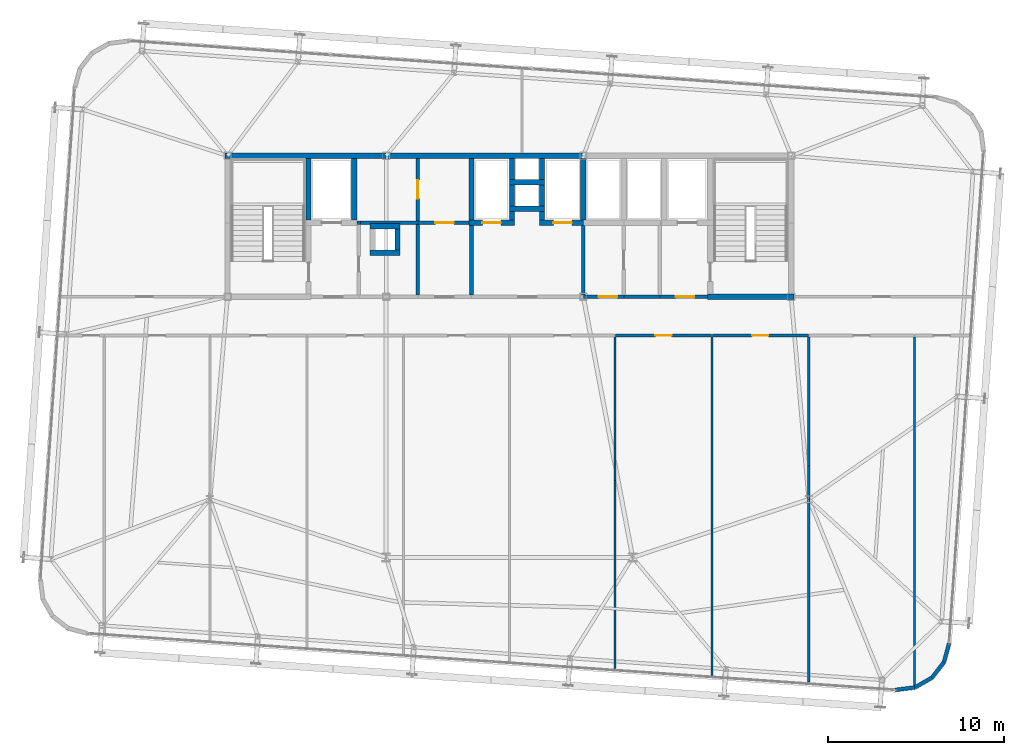
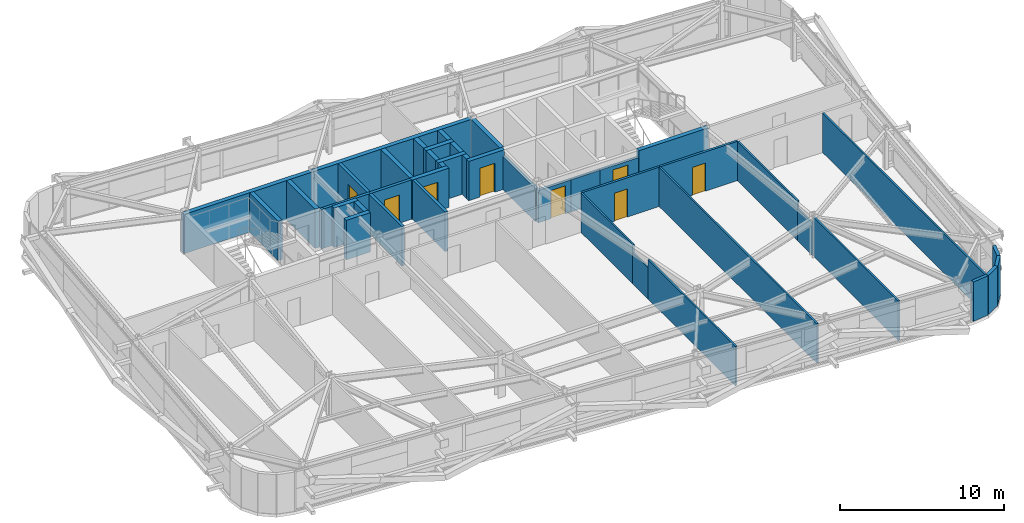
# One storey, part 36 of 39: 44 walls, 8 doors, 8 openings.
"""IFC4 building model written with IfcOpenShell, lengths in metres."""

import ifcopenshell
import ifcopenshell.guid

model = None  # the IFC model being written
_history = None  # IfcOwnerHistory: only IFC2X3 demands one
_inside = {}  # id of a spatial element -> (the spatial element, [elements in it])
_under = {}  # id of a project, library or spatial element -> (it, [spatial elements below it])
_declared = {}  # id of a project -> (the project, [libraries it declares])
_typed = {}  # id of a type object -> (the type object, [elements of that type])
_made_of = {}  # id of a material, layer set ... -> (it, [elements and type objects made of it])


def new_model(schema):
    """Start an empty IFC model of exactly this schema.

    Asked for "IFC4X3", IfcOpenShell would pick the latest addendum, in which some entities
    have other attributes; the version numbers below select the first issue.
    IFC2X3 requires an IfcOwnerHistory on every rooted entity: one is made here for all.
    """
    global model, _history
    if schema == "IFC4X3":
        model = ifcopenshell.file(schema_version=(4, 3, 0, 0))
    else:
        model = ifcopenshell.file(schema=schema)
    _inside.clear()
    _under.clear()
    _declared.clear()
    _typed.clear()
    _made_of.clear()
    _history = None
    if model.schema == "IFC2X3":
        org = make("IfcOrganization", Name="unknown")
        user = make(
            "IfcPersonAndOrganization",
            ThePerson=make("IfcPerson", FamilyName="unknown"),
            TheOrganization=org,
        )
        app = make(
            "IfcApplication",
            ApplicationDeveloper=org,
            Version="unknown",
            ApplicationFullName="unknown",
            ApplicationIdentifier="unknown",
        )
        _history = make(
            "IfcOwnerHistory",
            OwningUser=user,
            OwningApplication=app,
            ChangeAction="ADDED",
            CreationDate=0,
        )
    return model


def make(cls, **values):
    """One entity of the class cls with the attributes given. An attribute that is None is left unset."""
    return model.create_entity(
        cls, **{name: value for name, value in values.items() if value is not None}
    )


def rooted(cls, **values):
    """An entity with a GlobalId (a new one), such as an element, a storey or a relation."""
    return make(cls, GlobalId=ifcopenshell.guid.new(), OwnerHistory=_history, **values)


def si_unit(unit_type, name, prefix=None):
    """IfcSIUnit, for example si_unit("LENGTHUNIT", "METRE", prefix="MILLI")."""
    return make("IfcSIUnit", UnitType=unit_type, Prefix=prefix, Name=name)


def assignment(units):
    """IfcUnitAssignment: the units of a project."""
    return None if units is None else make("IfcUnitAssignment", Units=units)


def point(xyz):
    """IfcCartesianPoint."""
    return None if xyz is None else make("IfcCartesianPoint", Coordinates=xyz)


def direction(xyz):
    """IfcDirection."""
    return None if xyz is None else make("IfcDirection", DirectionRatios=xyz)


def frame(location, z_axis=None, x_axis=None):
    """IfcAxis2Placement3D, a coordinate frame: its origin and axes. An axis left out is left unset."""
    return make(
        "IfcAxis2Placement3D",
        Location=point(location),
        Axis=direction(z_axis),
        RefDirection=direction(x_axis),
    )


def frame_2d(location, x_axis=None):
    """IfcAxis2Placement2D, a coordinate frame in the plane: its origin and x axis."""
    return make(
        "IfcAxis2Placement2D", Location=point(location), RefDirection=direction(x_axis)
    )


def origin():
    """The frame at (0, 0, 0) with its axes left unset."""
    return frame((0.0, 0.0, 0.0))


def place(relative_to, where):
    """IfcLocalPlacement: puts the frame where relative to a parent placement (None: the world)."""
    return make(
        "IfcLocalPlacement", PlacementRelTo=relative_to, RelativePlacement=where
    )


def context(
    kind, dimensions, precision=None, world=None, true_north=None, identifier=None
):
    """IfcGeometricRepresentationContext, for example the 3D "Model" context."""
    return make(
        "IfcGeometricRepresentationContext",
        ContextIdentifier=identifier,
        ContextType=kind,
        CoordinateSpaceDimension=dimensions,
        Precision=precision,
        WorldCoordinateSystem=world,
        TrueNorth=true_north,
    )


def subcontext(parent, identifier, kind, view, scale=None):
    """IfcGeometricRepresentationSubContext, for example "Body" below "Model"."""
    return make(
        "IfcGeometricRepresentationSubContext",
        ContextIdentifier=identifier,
        ContextType=kind,
        ParentContext=parent,
        TargetScale=scale,
        TargetView=view,
    )


def project(units=None, contexts=None):
    """IfcProject with its units and contexts."""
    return rooted(
        "IfcProject",
        Name="project",
        RepresentationContexts=contexts,
        UnitsInContext=assignment(units),
    )


def spatial(cls, under=None, at=None, **own):
    """A site, building, storey or space (cls), placed at a placement, below another one or the project."""
    s = rooted(cls, ObjectPlacement=at, **own)
    if under is not None:
        _under.setdefault(under.id(), (under, []))[1].append(s)
    return s


def profile(cls, at=None, kind="AREA", **sizes):
    """A parametric profile (cls). Its sizes go by their IFC names, for example OverallWidth=200.0."""
    return make(cls, ProfileType=kind, Position=at, **sizes)


def rectangle(**sizes):
    """IfcRectangleProfileDef."""
    return profile("IfcRectangleProfileDef", **sizes)


def extrude(swept, where, along, depth):
    """IfcExtrudedAreaSolid: the profile swept, set in the frame where, extruded along a direction by depth."""
    return make(
        "IfcExtrudedAreaSolid",
        SweptArea=swept,
        Position=where,
        ExtrudedDirection=direction(along),
        Depth=depth,
    )


def shape(context_of_items, identifier, shape_type, items):
    """IfcShapeRepresentation: the items that make up one representation, for example the "Body"."""
    return make(
        "IfcShapeRepresentation",
        ContextOfItems=context_of_items,
        RepresentationIdentifier=identifier,
        RepresentationType=shape_type,
        Items=items,
    )


def source(mapping_origin, context_of_items, identifier, shape_type, items):
    """IfcRepresentationMap: a shape defined once, which mapped items show again and again."""
    return make(
        "IfcRepresentationMap",
        MappingOrigin=mapping_origin,
        MappedRepresentation=shape(context_of_items, identifier, shape_type, items),
    )


def transform(
    local_origin,
    x_axis=None,
    y_axis=None,
    z_axis=None,
    scale=None,
    scale2=None,
    scale3=None,
    uniform=True,
):
    """IfcCartesianTransformationOperator3D, or its non-uniform kind. x_axis, y_axis, z_axis: its Axis1, 2, 3."""
    if uniform:
        return make(
            "IfcCartesianTransformationOperator3D",
            Axis1=direction(x_axis),
            Axis2=direction(y_axis),
            LocalOrigin=point(local_origin),
            Scale=scale,
            Axis3=direction(z_axis),
        )
    return make(
        "IfcCartesianTransformationOperator3DnonUniform",
        Axis1=direction(x_axis),
        Axis2=direction(y_axis),
        LocalOrigin=point(local_origin),
        Scale=scale,
        Axis3=direction(z_axis),
        Scale2=scale2,
        Scale3=scale3,
    )


def mapped(mapping_source, mapping_target):
    """IfcMappedItem: shows the shape of a source again, moved by a transform."""
    return make(
        "IfcMappedItem", MappingSource=mapping_source, MappingTarget=mapping_target
    )


def material(Name=None, Category=None):
    """IfcMaterial."""
    return make("IfcMaterial", Name=Name, Category=Category)


def layer(
    of_material, thickness, ventilated=None, Name=None, Category=None, Priority=None
):
    """IfcMaterialLayer: one layer of a wall or slab, of a material (None: an air gap)."""
    return make(
        "IfcMaterialLayer",
        Material=of_material,
        LayerThickness=thickness,
        IsVentilated=ventilated,
        Name=Name,
        Category=Category,
        Priority=Priority,
    )


def layer_set(layers, Name=None):
    """IfcMaterialLayerSet."""
    return make("IfcMaterialLayerSet", MaterialLayers=layers, LayerSetName=Name)


def made_of(thing, what):
    """Note that an element or type object is made of a material, layer set ...; save() writes the relation."""
    if what is not None:
        _made_of.setdefault(what.id(), (what, []))[1].append(thing)
    return thing


def type_object(cls, material=None, **own):
    """A type object (cls), such as IfcWallType, which elements share."""
    return made_of(rooted(cls, **own), material)


def element(
    cls,
    number,
    at=None,
    inside=None,
    cuts=None,
    type_object=None,
    material=None,
    context=None,
    identifier="Body",
    shape_type=None,
    held_by="IfcProductDefinitionShape",
    body=None,
    shapes=None,
    **own,
):
    """One element of the class cls, such as IfcWall. Its Tag is "e" and its number.

    at: its placement. inside: the storey or other place that contains it. cuts: it is an
    opening in that element (IfcRelVoidsElement). A single representation is given by context,
    identifier, shape_type and body (its items); several are given by shapes. held_by: the class
    of the entity that holds the representations. save() writes the other relations.
    """
    e = rooted(cls, Tag="e%d" % number, ObjectPlacement=at, **own)
    if body is not None:
        shapes = [shape(context, identifier, shape_type, body)]
    if shapes is not None:
        e.Representation = make(held_by, Representations=shapes)
    if inside is not None:
        _inside.setdefault(inside.id(), (inside, []))[1].append(e)
    if cuts is not None:
        rooted(
            "IfcRelVoidsElement", RelatingBuildingElement=cuts, RelatedOpeningElement=e
        )
    if type_object is not None:
        _typed.setdefault(type_object.id(), (type_object, []))[1].append(e)
    return made_of(e, material)


def fill(opening, filler):
    """IfcRelFillsElement: the door or window that sits in an opening."""
    return rooted(
        "IfcRelFillsElement",
        RelatingOpeningElement=opening,
        RelatedBuildingElement=filler,
    )


def aggregate(whole, parts):
    """IfcRelAggregates: a whole, such as a stair, and the parts it consists of."""
    return rooted("IfcRelAggregates", RelatingObject=whole, RelatedObjects=parts)


def save(model, path):
    """Write the relations noted so far, then the file.

    IfcRelAggregates (storeys below a building ...), IfcRelContainedInSpatialStructure (elements
    in a storey), IfcRelDefinesByType, IfcRelAssociatesMaterial and IfcRelDeclares: one each for
    every whole, place, type object, material and project.
    """
    for whole, parts in _under.values():
        aggregate(whole, parts)
    for where, things in _inside.values():
        rooted(
            "IfcRelContainedInSpatialStructure",
            RelatedElements=things,
            RelatingStructure=where,
        )
    for kind, things in _typed.values():
        rooted("IfcRelDefinesByType", RelatedObjects=things, RelatingType=kind)
    for what, things in _made_of.values():
        rooted("IfcRelAssociatesMaterial", RelatedObjects=things, RelatingMaterial=what)
    for by, libraries in _declared.values():
        rooted("IfcRelDeclares", RelatingContext=by, RelatedDefinitions=libraries)
    model.write(path)


model = new_model("IFC4")

# Units and contexts
model_context = context("Model", 3, precision=1e-05, world=origin(), true_north=direction((0.0, 1.0)))
body_context = subcontext(model_context, "Body", "Model", "MODEL_VIEW")
ifc_project = project(units=[si_unit("LENGTHUNIT", "METRE"), si_unit("AREAUNIT", "SQUARE_METRE"), si_unit("VOLUMEUNIT", "CUBIC_METRE"), si_unit("PLANEANGLEUNIT", "RADIAN"), si_unit("MASSUNIT", "GRAM", prefix="KILO")], contexts=[model_context])

# Site, building, storey
site_placement = place(None, origin())
site = spatial("IfcSite", under=ifc_project, at=site_placement, CompositionType="ELEMENT")
building_placement = place(site_placement, origin())
building = spatial("IfcBuilding", under=site, at=building_placement, Name="Taldren Reach Tower", CompositionType="ELEMENT")
storey_placement = place(building_placement, frame((0.0, 0.0, 123.550048828125)))
storey = spatial("IfcBuildingStorey", under=building, at=storey_placement, Name="L37", CompositionType="ELEMENT", Elevation=123.550048828125)

# Walls
ifc_material_1 = material(Name="Pale Champagne Anodised Aluminium Cladding", Category="aluminium")
ifc_layer_1 = layer(ifc_material_1, 0.04, Name="Pale Champagne Anodised Aluminium Cladding", Category="aluminium")
ifc_material_2 = material(Name="Mineral Wool Acoustic Insulation", Category="insulation")
ifc_layer_2 = layer(ifc_material_2, 0.06, Name="Mineral Wool Acoustic Insulation", Category="insulation")
ifc_material_3 = material(Name="Steel Gr 350 (C350L0)", Category="steel")
ifc_layer_3 = layer(ifc_material_3, 0.12, Name="Steel Gr 350 (C350L0)", Category="steel")
ifc_layer_set_1 = layer_set([ifc_layer_1, ifc_layer_2, ifc_layer_3], Name="Pale Champagne Aluminium Cladding and Steel Gr 350 Stud Framing")
wall_type_1 = type_object("IfcWallType", Name="EW-CRN-220", PredefinedType="SOLIDWALL", material=ifc_layer_set_1)
shared_shape_1 = source(origin(), body_context, "Body", "SweptSolid", [
    extrude(rectangle(XDim=1.115966796875, YDim=0.219970703125, at=frame_2d((0.55810546875, 0.0))), origin(), (0.0, 0.0, 1.0), 2.929931640625),
])
for number, where, z_axis, x_axis, name in (
    (1, (58.02490234375, 1.8173828125, 0.0), (0.0, 0.0, 1.0), (0.868095010314, 0.496398079235, 0.0), "Rounded-corner pale-metal facade wall L37-SE2"),
    (2, (58.99365234375, 2.371337890625, 0.0), (0.0, 0.0, 1.0), (0.612318787668, 0.790610967714, 0.0), "Rounded-corner pale-metal facade wall L37-SE3"),
    (3, (59.677001953125, 3.253662109375, 0.0), (0.0, 0.0, 1.0), (0.262969307856, 0.964804199372, 0.0), "Rounded-corner pale-metal facade wall L37-SE4"),
):
    element("IfcWall", number, at=place(storey_placement, frame(where, z_axis=z_axis, x_axis=x_axis)), inside=storey, type_object=wall_type_1, Name=name, PredefinedType="SOLIDWALL", context=body_context, shape_type="MappedRepresentation", body=[
        mapped(shared_shape_1, transform((0.0, 0.0, 0.0), scale=1.0)),
    ])
shared_shape_2 = source(origin(), body_context, "Body", "SweptSolid", [
    extrude(rectangle(XDim=1.11572265625, YDim=0.219970703125, at=frame_2d((0.557861328125, 0.0))), origin(), (0.0, 0.0, 1.0), 2.929931640625),
])
wall_1_placement = place(storey_placement, frame((56.91796875, 1.6767578125, 0.0), z_axis=(0.0, 0.0, 1.0), x_axis=(0.99202678349, 0.126027222605, 0.0)))
element("IfcWall", 4, at=wall_1_placement, inside=storey, type_object=wall_type_1, Name="Rounded-corner pale-metal facade wall L37-SE1", PredefinedType="SOLIDWALL", context=body_context, shape_type="MappedRepresentation", body=[
    mapped(shared_shape_2, transform((0.0, 0.0, 0.0), scale=1.0)),
])

# Wall, opening, door
ifc_material_4 = material(Name="Concrete S50 (50 MPa)", Category="concrete")
ifc_layer_4 = layer(ifc_material_4, 0.199951171875)
ifc_layer_set_2 = layer_set([ifc_layer_4], Name="Concrete S50 (50 MPa)")
wall_type_2 = type_object("IfcWallType", Name="IW-CORE-200", PredefinedType="SOLIDWALL", material=ifc_layer_set_2)
shared_shape_3 = source(origin(), body_context, "Body", "SweptSolid", [
    extrude(rectangle(XDim=2.300048828125, YDim=0.199951171875, at=frame_2d((1.14990234375, 0.0))), origin(), (0.0, 0.0, 1.0), 2.39697265625),
])
wall_2_placement = place(storey_placement, frame((41.5, 24.0, 0.0), z_axis=(0.0, 0.0, 1.0), x_axis=(-1.0, 0.0, 0.0)))
wall_2 = element("IfcWall", 5, at=wall_2_placement, inside=storey, type_object=wall_type_2, Name="Rear Core Shear Wall W-INT-L37-044", PredefinedType="SOLIDWALL", context=body_context, shape_type="MappedRepresentation", body=[
    mapped(shared_shape_3, transform((0.0, 0.0, 0.0), scale=1.0)),
])
shared_shape_4 = source(origin(), body_context, "Body", "SweptSolid", [
    extrude(rectangle(XDim=1.050048828125, YDim=2.10009765625, at=frame_2d((0.52490234375, 1.050048828125))), frame((0.0, 0.10986328125, 0.0), z_axis=(0.0, -1.0, 0.0), x_axis=(1.0, 0.0, 0.0)), (0.0, 0.0, 1.0), 0.219970703125),
])
opening_1_placement = place(wall_2_placement, frame((0.375, 0.0, 0.0)))
opening_1 = element("IfcOpeningElement", 6, at=opening_1_placement, cuts=wall_2, Name="Opening DF-105", PredefinedType="OPENING", context=body_context, shape_type="MappedRepresentation", body=[
    mapped(shared_shape_4, transform((0.0, 0.0, 0.0), scale=1.0)),
])
ifc_material_5 = material(Name="Fire-Rated Care and Stair Exit Door")
door_type_1 = type_object("IfcDoorType", Name="ID-FIRE-105", OperationType="NOTDEFINED", PredefinedType="DOOR", material=ifc_material_5)
shared_shape_5 = source(origin(), body_context, "Body", "SweptSolid", [
    extrude(rectangle(XDim=1.050048828125, YDim=2.10009765625, at=frame_2d((0.52490234375, 1.050048828125))), frame((0.0, 0.02490234375, 0.0), z_axis=(0.0, -1.0, 0.0), x_axis=(1.0, 0.0, 0.0)), (0.0, 0.0, 1.0), 0.050048828125),
])
door_1_placement = place(opening_1_placement, frame((1.050048828125, 0.0, 0.0), z_axis=(0.0, 0.0, 1.0), x_axis=(-1.0, 0.0, 0.0)))
door_1 = element("IfcDoor", 7, at=door_1_placement, inside=storey, type_object=door_type_1, Name="Interior Door DR-L37-010", OperationType="SINGLE_SWING_RIGHT", OverallHeight=2.10009765625, OverallWidth=1.050048828125, PredefinedType="DOOR", context=body_context, shape_type="MappedRepresentation", body=[
    mapped(shared_shape_5, transform((0.0, 0.0, 0.0), scale=1.0)),
])
fill(opening_1, door_1)

# Walls
shared_shape_6 = source(origin(), body_context, "Body", "SweptSolid", [
    extrude(rectangle(XDim=2.050048828125, YDim=0.199951171875, at=frame_2d((1.02490234375, 0.0))), origin(), (0.0, 0.0, 1.0), 2.39697265625),
])
wall_3_placement = place(storey_placement, frame((43.550048828125, 24.0, 0.0), z_axis=(0.0, 0.0, 1.0), x_axis=(-1.0, 0.0, 0.0)))
element("IfcWall", 8, at=wall_3_placement, inside=storey, type_object=wall_type_2, Name="Rear Core Shear Wall W-INT-L37-045", PredefinedType="SOLIDWALL", context=body_context, shape_type="MappedRepresentation", body=[
    mapped(shared_shape_6, transform((0.0, 0.0, 0.0), scale=1.0)),
])
ifc_material_6 = material(Name="Insulated Residential Stud Partition", Category="gypsum")
ifc_layer_5 = layer(ifc_material_6, 0.1201171875)
ifc_layer_set_3 = layer_set([ifc_layer_5], Name="Insulated Residential Stud Partition")
wall_type_3 = type_object("IfcWallType", Name="IW-PART-120", PredefinedType="PARTITIONING", material=ifc_layer_set_3)
shared_shape_7 = source(origin(), body_context, "Body", "SweptSolid", [
    extrude(rectangle(XDim=1.860595703125, YDim=0.1201171875, at=frame_2d((0.93017578125, 0.0))), origin(), (0.0, 0.0, 1.0), 2.327880859375),
])
wall_4_placement = place(storey_placement, frame((41.0, 15.416015625, 0.0), z_axis=(0.0, 0.0, 1.0), x_axis=(0.0, -1.0, 0.0)))
element("IfcWall", 9, at=wall_4_placement, inside=storey, type_object=wall_type_3, Name="Interior Partition Wall W-INT-L37-063 part 2", PredefinedType="PARTITIONING", context=body_context, shape_type="MappedRepresentation", body=[
    mapped(shared_shape_7, transform((0.0, 0.0, 0.0), scale=1.0)),
])
ifc_material_7 = material(Name="Concrete S65 (65 MPa)", Category="concrete")
ifc_layer_6 = layer(ifc_material_7, 0.300048828125)
ifc_layer_set_4 = layer_set([ifc_layer_6], Name="Concrete S65 (65 MPa)")
wall_type_4 = type_object("IfcWallType", Name="IW-CORE-300", PredefinedType="SHEAR", material=ifc_layer_set_4)
shared_shape_8 = source(origin(), body_context, "Body", "SweptSolid", [
    extrude(rectangle(XDim=9.14990234375, YDim=0.300048828125, at=frame_2d((4.574951171875, 0.0))), origin(), (0.0, 0.0, 1.0), 2.929931640625),
])
wall_5_placement = place(storey_placement, frame((18.85009765625, 32.0, 0.0), z_axis=(0.0, 0.0, 1.0), x_axis=(1.0, 0.0, 0.0)))
element("IfcWall", 10, at=wall_5_placement, inside=storey, type_object=wall_type_4, Name="Rear Core Shear Wall W-CORE-L37-NORTH1", PredefinedType="SHEAR", context=body_context, shape_type="MappedRepresentation", body=[
    mapped(shared_shape_8, transform((0.0, 0.0, 0.0), scale=1.0)),
])
shared_shape_9 = source(origin(), body_context, "Body", "SweptSolid", [
    extrude(rectangle(XDim=11.199951171875, YDim=0.300048828125, at=frame_2d((5.60009765625, 0.0))), origin(), (0.0, 0.0, 1.0), 2.929931640625),
])
wall_6_placement = place(storey_placement, frame((28.0, 32.0, 0.0), z_axis=(0.0, 0.0, 1.0), x_axis=(1.0, 0.0, 0.0)))
element("IfcWall", 11, at=wall_6_placement, inside=storey, type_object=wall_type_4, Name="Rear Core Shear Wall W-CORE-L37-NORTH2", PredefinedType="SHEAR", context=body_context, shape_type="MappedRepresentation", body=[
    mapped(shared_shape_9, transform((0.0, 0.0, 0.0), scale=1.0)),
])
shared_shape_10 = source(origin(), body_context, "Body", "SweptSolid", [
    extrude(rectangle(XDim=3.5, YDim=0.300048828125, at=frame_2d((1.75, 0.0))), origin(), (0.0, 0.0, 1.0), 2.929931640625),
])
for number, where, z_axis, x_axis, name in (
    (12, (23.60009765625, 28.35009765625, 0.0), (0.0, 0.0, 1.0), (0.0, 1.0, 0.0), "Rear Core Shear Wall W-INT-L37-001"),
    (13, (26.199951171875, 28.35009765625, 0.0), (0.0, 0.0, 1.0), (0.0, 1.0, 0.0), "Rear Core Shear Wall W-INT-L37-005"),
    (14, (32.85009765625, 31.85009765625, 0.0), (0.0, 0.0, 1.0), (0.0, -1.0, 0.0), "Rear Core Shear Wall W-INT-L37-027"),
    (15, (39.199951171875, 28.35009765625, 0.0), (0.0, 0.0, 1.0), (0.0, 1.0, 0.0), "Rear Core Shear Wall W-INT-L37-030"),
):
    element("IfcWall", number, at=place(storey_placement, frame(where, z_axis=z_axis, x_axis=x_axis)), inside=storey, type_object=wall_type_4, Name=name, PredefinedType="SHEAR", context=body_context, shape_type="MappedRepresentation", body=[
        mapped(shared_shape_10, transform((0.0, 0.0, 0.0), scale=1.0)),
    ])
shared_shape_11 = source(origin(), body_context, "Body", "SweptSolid", [
    extrude(rectangle(XDim=4.89990234375, YDim=0.300048828125, at=frame_2d((2.449951171875, 0.0))), origin(), (0.0, 0.0, 1.0), 2.929931640625),
])
wall_7_placement = place(storey_placement, frame((46.25, 24.0, 0.0), z_axis=(0.0, 0.0, 1.0), x_axis=(1.0, 0.0, 0.0)))
element("IfcWall", 16, at=wall_7_placement, inside=storey, type_object=wall_type_4, Name="Rear Core Shear Wall W-INT-L37-010", PredefinedType="SHEAR", context=body_context, shape_type="MappedRepresentation", body=[
    mapped(shared_shape_11, transform((0.0, 0.0, 0.0), scale=1.0)),
])
shared_shape_12 = source(origin(), body_context, "Body", "SweptSolid", [
    extrude(rectangle(XDim=3.949951171875, YDim=0.199951171875, at=frame_2d((1.97509765625, 0.0))), origin(), (0.0, 0.0, 1.0), 2.929931640625),
])
wall_8_placement = place(storey_placement, frame((32.85009765625, 24.10009765625, 0.0), z_axis=(0.0, 0.0, 1.0), x_axis=(0.0, 1.0, 0.0)))
element("IfcWall", 17, at=wall_8_placement, inside=storey, type_object=wall_type_2, Name="Rear Core Shear Wall W-INT-L37-031", PredefinedType="SOLIDWALL", context=body_context, shape_type="MappedRepresentation", body=[
    mapped(shared_shape_12, transform((0.0, 0.0, 0.0), scale=1.0)),
])

# Wall, opening, door
shared_shape_13 = source(origin(), body_context, "Body", "SweptSolid", [
    extrude(rectangle(XDim=2.699951171875, YDim=0.199951171875, at=frame_2d((1.35009765625, 0.0))), origin(), (0.0, 0.0, 1.0), 2.39697265625),
])
wall_9_placement = place(storey_placement, frame((43.550048828125, 24.0, 0.0), z_axis=(0.0, 0.0, 1.0), x_axis=(1.0, 0.0, 0.0)))
wall_9 = element("IfcWall", 18, at=wall_9_placement, inside=storey, type_object=wall_type_2, Name="Rear Core Shear Wall W-INT-L37-014", PredefinedType="SOLIDWALL", context=body_context, shape_type="MappedRepresentation", body=[
    mapped(shared_shape_13, transform((0.0, 0.0, 0.0), scale=1.0)),
])
opening_2_placement = place(wall_9_placement, frame((0.89990234375, 0.0, 0.0)))
opening_2 = element("IfcOpeningElement", 19, at=opening_2_placement, cuts=wall_9, Name="Opening DF-105", PredefinedType="OPENING", context=body_context, shape_type="MappedRepresentation", body=[
    mapped(shared_shape_4, transform((0.0, 0.0, 0.0), scale=1.0)),
])
door_2_placement = place(opening_2_placement, origin())
door_2 = element("IfcDoor", 20, at=door_2_placement, inside=storey, type_object=door_type_1, Name="Interior Door DR-L37-004", OperationType="SINGLE_SWING_LEFT", OverallHeight=2.10009765625, OverallWidth=1.050048828125, PredefinedType="DOOR", context=body_context, shape_type="MappedRepresentation", body=[
    mapped(shared_shape_5, transform((0.0, 0.0, 0.0), scale=1.0)),
])
fill(opening_2, door_2)

# Walls
shared_shape_14 = source(origin(), body_context, "Body", "SweptSolid", [
    extrude(rectangle(XDim=2.0, YDim=0.300048828125, at=frame_2d((1.0, 0.0))), origin(), (0.0, 0.0, 1.0), 2.929931640625),
])
for number, where, z_axis, x_axis, name in (
    (21, (35.0, 30.5, 0.0), (0.0, 0.0, 1.0), (1.0, 0.0, 0.0), "Rear Core Shear Wall W-INT-L37-015"),
    (22, (35.0, 29.0, 0.0), (0.0, 0.0, 1.0), (1.0, 0.0, 0.0), "Rear Core Shear Wall W-INT-L37-020"),
):
    element("IfcWall", number, at=place(storey_placement, frame(where, z_axis=z_axis, x_axis=x_axis)), inside=storey, type_object=wall_type_4, Name=name, PredefinedType="SHEAR", context=body_context, shape_type="MappedRepresentation", body=[
        mapped(shared_shape_14, transform((0.0, 0.0, 0.0), scale=1.0)),
    ])
shared_shape_15 = source(origin(), body_context, "Body", "SweptSolid", [
    extrude(rectangle(XDim=1.2001953125, YDim=0.300048828125, at=frame_2d((0.60009765625, 0.0))), origin(), (0.0, 0.0, 1.0), 2.929931640625),
])
for number, where, z_axis, x_axis, name in (
    (23, (35.14990234375, 31.85009765625, 0.0), (0.0, 0.0, 1.0), (0.0, -1.0, 0.0), "Rear Core Shear Wall W-INT-L37-016"),
    (24, (36.85009765625, 30.64990234375, 0.0), (0.0, 0.0, 1.0), (0.0, 1.0, 0.0), "Rear Core Shear Wall W-INT-L37-017"),
    (25, (35.14990234375, 30.35009765625, 0.0), (0.0, 0.0, 1.0), (0.0, -1.0, 0.0), "Rear Core Shear Wall W-INT-L37-018"),
    (26, (36.85009765625, 29.14990234375, 0.0), (0.0, 0.0, 1.0), (0.0, 1.0, 0.0), "Rear Core Shear Wall W-INT-L37-019"),
    (27, (28.64990234375, 26.64990234375, 0.0), (0.0, 0.0, 1.0), (0.0, 1.0, 0.0), "Rear Core Shear Wall W-INT-L37-021"),
):
    element("IfcWall", number, at=place(storey_placement, frame(where, z_axis=z_axis, x_axis=x_axis)), inside=storey, type_object=wall_type_4, Name=name, PredefinedType="SHEAR", context=body_context, shape_type="MappedRepresentation", body=[
        mapped(shared_shape_15, transform((0.0, 0.0, 0.0), scale=1.0)),
    ])
shared_shape_16 = source(origin(), body_context, "Body", "SweptSolid", [
    extrude(rectangle(XDim=0.5, YDim=0.300048828125, at=frame_2d((0.25, 0.0))), origin(), (0.0, 0.0, 1.0), 2.929931640625),
])
for number, where, z_axis, x_axis, name in (
    (28, (35.14990234375, 28.35009765625, 0.0), (0.0, 0.0, 1.0), (0.0, 1.0, 0.0), "Rear Core Shear Wall W-INT-L37-026"),
    (29, (36.85009765625, 28.85009765625, 0.0), (0.0, 0.0, 1.0), (0.0, -1.0, 0.0), "Rear Core Shear Wall W-INT-L37-029"),
):
    element("IfcWall", number, at=place(storey_placement, frame(where, z_axis=z_axis, x_axis=x_axis)), inside=storey, type_object=wall_type_4, Name=name, PredefinedType="SHEAR", context=body_context, shape_type="MappedRepresentation", body=[
        mapped(shared_shape_16, transform((0.0, 0.0, 0.0), scale=1.0)),
    ])

# Wall, opening, door
shared_shape_17 = source(origin(), body_context, "Body", "SweptSolid", [
    extrude(rectangle(XDim=2.60009765625, YDim=0.300048828125, at=frame_2d((1.300048828125, 0.0))), origin(), (0.0, 0.0, 1.0), 2.929931640625),
])
wall_10_placement = place(storey_placement, frame((32.699951171875, 28.199951171875, 0.0), z_axis=(0.0, 0.0, 1.0), x_axis=(1.0, 0.0, 0.0)))
wall_10 = element("IfcWall", 30, at=wall_10_placement, inside=storey, type_object=wall_type_4, Name="Rear Core Shear Wall W-INT-L37-025", PredefinedType="SHEAR", context=body_context, shape_type="MappedRepresentation", body=[
    mapped(shared_shape_17, transform((0.0, 0.0, 0.0), scale=1.0)),
])
shared_shape_18 = source(origin(), body_context, "Body", "SweptSolid", [
    extrude(rectangle(XDim=1.050048828125, YDim=2.14990234375, at=frame_2d((0.52490234375, 1.074951171875))), frame((0.0, 0.16015625, 0.0), z_axis=(0.0, -1.0, 0.0), x_axis=(1.0, 0.0, 0.0)), (0.0, 0.0, 1.0), 0.320068359375),
])
opening_3_placement = place(wall_10_placement, frame((0.77490234375, 0.0, 0.0)))
opening_3 = element("IfcOpeningElement", 31, at=opening_3_placement, cuts=wall_10, Name="Opening LD-PM1", PredefinedType="OPENING", context=body_context, shape_type="MappedRepresentation", body=[
    mapped(shared_shape_18, transform((0.0, 0.0, 0.0), scale=1.0)),
])
ifc_material_8 = material(Name="Stainless Steel Gr 316 Passenger Lift Landing Door", Category="steel")
door_type_2 = type_object("IfcDoorType", Name="LD-PAS-105", OperationType="SLIDING_TO_LEFT", PredefinedType="DOOR", material=ifc_material_8)
shared_shape_19 = source(origin(), body_context, "Body", "SweptSolid", [
    extrude(rectangle(XDim=1.050048828125, YDim=2.14990234375, at=frame_2d((0.52490234375, 1.074951171875))), frame((0.0, 0.02490234375, 0.0), z_axis=(0.0, -1.0, 0.0), x_axis=(1.0, 0.0, 0.0)), (0.0, 0.0, 1.0), 0.050048828125),
])
door_3_placement = place(opening_3_placement, origin())
door_3 = element("IfcDoor", 32, at=door_3_placement, inside=storey, type_object=door_type_2, Name="Lift Landing Door LD-PM1-L37", OperationType="SLIDING_TO_LEFT", OverallHeight=2.14990234375, OverallWidth=1.050048828125, PredefinedType="DOOR", context=body_context, shape_type="MappedRepresentation", body=[
    mapped(shared_shape_19, transform((0.0, 0.0, 0.0), scale=1.0)),
])
fill(opening_3, door_3)

# Walls
shared_shape_20 = source(origin(), body_context, "Body", "SweptSolid", [
    extrude(rectangle(XDim=4.0, YDim=0.199951171875, at=frame_2d((2.0, 0.0))), origin(), (0.0, 0.0, 1.0), 2.929931640625),
])
wall_11_placement = place(storey_placement, frame((29.800048828125, 28.10009765625, 0.0), z_axis=(0.0, 0.0, 1.0), x_axis=(0.0, -1.0, 0.0)))
element("IfcWall", 33, at=wall_11_placement, inside=storey, type_object=wall_type_2, Name="Rear Core Shear Wall W-INT-L37-037", PredefinedType="SOLIDWALL", context=body_context, shape_type="MappedRepresentation", body=[
    mapped(shared_shape_20, transform((0.0, 0.0, 0.0), scale=1.0)),
])
shared_shape_21 = source(origin(), body_context, "Body", "SweptSolid", [
    extrude(rectangle(XDim=1.699951171875, YDim=0.300048828125, at=frame_2d((0.85009765625, 0.0))), origin(), (0.0, 0.0, 1.0), 2.929931640625),
])
for number, where, z_axis, x_axis, name in (
    (34, (28.800048828125, 28.0, 0.0), (0.0, 0.0, 1.0), (-1.0, 0.0, 0.0), "Rear Core Shear Wall W-INT-L37-023"),
    (35, (27.10009765625, 26.5, 0.0), (0.0, 0.0, 1.0), (1.0, 0.0, 0.0), "Rear Core Shear Wall W-INT-L37-024"),
):
    element("IfcWall", number, at=place(storey_placement, frame(where, z_axis=z_axis, x_axis=x_axis)), inside=storey, type_object=wall_type_4, Name=name, PredefinedType="SHEAR", context=body_context, shape_type="MappedRepresentation", body=[
        mapped(shared_shape_21, transform((0.0, 0.0, 0.0), scale=1.0)),
    ])

# Wall, opening, door
shared_shape_22 = source(origin(), body_context, "Body", "SweptSolid", [
    extrude(rectangle(XDim=2.5, YDim=0.300048828125, at=frame_2d((1.25, 0.0))), origin(), (0.0, 0.0, 1.0), 2.929931640625),
])
wall_12_placement = place(storey_placement, frame((36.699951171875, 28.199951171875, 0.0), z_axis=(0.0, 0.0, 1.0), x_axis=(1.0, 0.0, 0.0)))
wall_12 = element("IfcWall", 36, at=wall_12_placement, inside=storey, type_object=wall_type_4, Name="Rear Core Shear Wall W-INT-L37-028", PredefinedType="SHEAR", context=body_context, shape_type="MappedRepresentation", body=[
    mapped(shared_shape_22, transform((0.0, 0.0, 0.0), scale=1.0)),
])
opening_4_placement = place(wall_12_placement, frame((0.794921875, 0.0, 0.0)))
opening_4 = element("IfcOpeningElement", 37, at=opening_4_placement, cuts=wall_12, Name="Opening LD-PM2", PredefinedType="OPENING", context=body_context, shape_type="MappedRepresentation", body=[
    mapped(shared_shape_18, transform((0.0, 0.0, 0.0), scale=1.0)),
])
door_4_placement = place(opening_4_placement, origin())
door_4 = element("IfcDoor", 38, at=door_4_placement, inside=storey, type_object=door_type_2, Name="Lift Landing Door LD-PM2-L37", OperationType="SLIDING_TO_LEFT", OverallHeight=2.14990234375, OverallWidth=1.050048828125, PredefinedType="DOOR", context=body_context, shape_type="MappedRepresentation", body=[
    mapped(shared_shape_19, transform((0.0, 0.0, 0.0), scale=1.0)),
])
fill(opening_4, door_4)

# Walls
shared_shape_23 = source(origin(), body_context, "Body", "SweptSolid", [
    extrude(rectangle(XDim=3.949951171875, YDim=0.199951171875, at=frame_2d((1.97509765625, 0.0))), origin(), (0.0, 0.0, 1.0), 2.469970703125),
])
wall_13_placement = place(storey_placement, frame((39.199951171875, 28.050048828125, 0.0), z_axis=(0.0, 0.0, 1.0), x_axis=(0.0, -1.0, 0.0)))
element("IfcWall", 39, at=wall_13_placement, inside=storey, type_object=wall_type_2, Name="Rear Core Shear Wall W-INT-L37-032", PredefinedType="SOLIDWALL", context=body_context, shape_type="MappedRepresentation", body=[
    mapped(shared_shape_23, transform((0.0, 0.0, 0.0), scale=1.0)),
])
shared_shape_24 = source(origin(), body_context, "Body", "SweptSolid", [
    extrude(rectangle(XDim=3.35009765625, YDim=0.199951171875, at=frame_2d((1.675048828125, 0.0))), origin(), (0.0, 0.0, 1.0), 2.929931640625),
])
wall_14_placement = place(storey_placement, frame((26.449951171875, 28.199951171875, 0.0), z_axis=(0.0, 0.0, 1.0), x_axis=(1.0, 0.0, 0.0)))
element("IfcWall", 40, at=wall_14_placement, inside=storey, type_object=wall_type_2, Name="Rear Core Shear Wall W-INT-L37-038", PredefinedType="SOLIDWALL", context=body_context, shape_type="MappedRepresentation", body=[
    mapped(shared_shape_24, transform((0.0, 0.0, 0.0), scale=1.0)),
])

# Wall, opening, door
shared_shape_25 = source(origin(), body_context, "Body", "SweptSolid", [
    extrude(rectangle(XDim=2.89990234375, YDim=0.199951171875, at=frame_2d((1.449951171875, 0.0))), origin(), (0.0, 0.0, 1.0), 2.929931640625),
])
wall_15_placement = place(storey_placement, frame((29.800048828125, 28.199951171875, 0.0), z_axis=(0.0, 0.0, 1.0), x_axis=(1.0, 0.0, 0.0)))
wall_15 = element("IfcWall", 41, at=wall_15_placement, inside=storey, type_object=wall_type_2, Name="Rear Core Shear Wall W-INT-L37-040", PredefinedType="SOLIDWALL", context=body_context, shape_type="MappedRepresentation", body=[
    mapped(shared_shape_25, transform((0.0, 0.0, 0.0), scale=1.0)),
])
opening_5_placement = place(wall_15_placement, frame((1.0, 0.0, 0.0)))
opening_5 = element("IfcOpeningElement", 42, at=opening_5_placement, cuts=wall_15, Name="Opening DF-105", PredefinedType="OPENING", context=body_context, shape_type="MappedRepresentation", body=[
    mapped(shared_shape_4, transform((0.0, 0.0, 0.0), scale=1.0)),
])
door_5_placement = place(opening_5_placement, origin())
door_5 = element("IfcDoor", 43, at=door_5_placement, inside=storey, type_object=door_type_1, Name="Interior Door DR-L37-006", OperationType="SINGLE_SWING_LEFT", OverallHeight=2.10009765625, OverallWidth=1.050048828125, PredefinedType="DOOR", context=body_context, shape_type="MappedRepresentation", body=[
    mapped(shared_shape_5, transform((0.0, 0.0, 0.0), scale=1.0)),
])
fill(opening_5, door_5)

shared_shape_26 = source(origin(), body_context, "Body", "SweptSolid", [
    extrude(rectangle(XDim=3.550048828125, YDim=0.199951171875, at=frame_2d((1.77490234375, 0.0))), origin(), (0.0, 0.0, 1.0), 2.929931640625),
])
wall_16_placement = place(storey_placement, frame((29.800048828125, 31.85009765625, 0.0), z_axis=(0.0, 0.0, 1.0), x_axis=(0.0, -1.0, 0.0)))
wall_16 = element("IfcWall", 44, at=wall_16_placement, inside=storey, type_object=wall_type_2, Name="Rear Core Shear Wall W-INT-L37-042", PredefinedType="SOLIDWALL", context=body_context, shape_type="MappedRepresentation", body=[
    mapped(shared_shape_26, transform((0.0, 0.0, 0.0), scale=1.0)),
])
opening_6_placement = place(wall_16_placement, frame((1.22509765625, 0.0, 0.0)))
opening_6 = element("IfcOpeningElement", 45, at=opening_6_placement, cuts=wall_16, Name="Opening DF-105", PredefinedType="OPENING", context=body_context, shape_type="MappedRepresentation", body=[
    mapped(shared_shape_4, transform((0.0, 0.0, 0.0), scale=1.0)),
])
door_6_placement = place(opening_6_placement, frame((1.050048828125, 0.0, 0.0), z_axis=(0.0, 0.0, 1.0), x_axis=(-1.0, 0.0, 0.0)))
door_6 = element("IfcDoor", 46, at=door_6_placement, inside=storey, type_object=door_type_1, Name="Interior Door DR-L37-008", OperationType="SINGLE_SWING_RIGHT", OverallHeight=2.10009765625, OverallWidth=1.050048828125, PredefinedType="DOOR", context=body_context, shape_type="MappedRepresentation", body=[
    mapped(shared_shape_5, transform((0.0, 0.0, 0.0), scale=1.0)),
])
fill(opening_6, door_6)

ifc_material_9 = material(Name="Fire-Rated Acoustic Plasterboard Stud Wall", Category="gypsum")
ifc_layer_7 = layer(ifc_material_9, 0.159912109375)
ifc_layer_set_5 = layer_set([ifc_layer_7], Name="Fire-Rated Acoustic Plasterboard Stud Wall")
wall_type_5 = type_object("IfcWallType", Name="IW-FIRE-160", PredefinedType="PARTITIONING", material=ifc_layer_set_5)
shared_shape_27 = source(origin(), body_context, "Body", "SweptSolid", [
    extrude(rectangle(XDim=5.45947265625, YDim=0.159912109375, at=frame_2d((2.729736328125, 0.0))), origin(), (0.0, 0.0, 1.0), 2.929931640625),
])
wall_17_placement = place(storey_placement, frame((46.479736328125, 21.800048828125, 0.0), z_axis=(0.0, 0.0, 1.0), x_axis=(-1.0, 0.0, 0.0)))
wall_17 = element("IfcWall", 47, at=wall_17_placement, inside=storey, type_object=wall_type_5, Name="Interior Partition Wall W-INT-L37-052", PredefinedType="PARTITIONING", context=body_context, shape_type="MappedRepresentation", body=[
    mapped(shared_shape_27, transform((0.0, 0.0, 0.0), scale=1.0)),
])
shared_shape_28 = source(origin(), body_context, "Body", "SweptSolid", [
    extrude(rectangle(XDim=0.919921875, YDim=2.10009765625, at=frame_2d((0.4599609375, 1.050048828125))), frame((0.0, 0.08984375, 0.0), z_axis=(0.0, -1.0, 0.0), x_axis=(1.0, 0.0, 0.0)), (0.0, 0.0, 1.0), 0.179931640625),
])
opening_7_placement = place(wall_17_placement, frame((2.269775390625, 0.0, 0.0)))
opening_7 = element("IfcOpeningElement", 48, at=opening_7_placement, cuts=wall_17, Name="Opening DI-092", PredefinedType="OPENING", context=body_context, shape_type="MappedRepresentation", body=[
    mapped(shared_shape_28, transform((0.0, 0.0, 0.0), scale=1.0)),
])
ifc_material_10 = material(Name="Solid-Core Timber Suite Door", Category="wood")
door_type_3 = type_object("IfcDoorType", Name="ID-INT-092", OperationType="NOTDEFINED", PredefinedType="DOOR", material=ifc_material_10)
shared_shape_29 = source(origin(), body_context, "Body", "SweptSolid", [
    extrude(rectangle(XDim=0.919921875, YDim=2.10009765625, at=frame_2d((0.4599609375, 1.050048828125))), frame((0.0, 0.02490234375, 0.0), z_axis=(0.0, -1.0, 0.0), x_axis=(1.0, 0.0, 0.0)), (0.0, 0.0, 1.0), 0.050048828125),
])
door_7_placement = place(opening_7_placement, origin())
door_7 = element("IfcDoor", 49, at=door_7_placement, inside=storey, type_object=door_type_3, Name="Interior Door DR-L37-017", OperationType="SINGLE_SWING_RIGHT", OverallHeight=2.10009765625, OverallWidth=0.919921875, PredefinedType="DOOR", context=body_context, shape_type="MappedRepresentation", body=[
    mapped(shared_shape_29, transform((0.0, 0.0, 0.0), scale=1.0)),
])
fill(opening_7, door_7)

wall_18_placement = place(storey_placement, frame((51.979736328125, 21.800048828125, 0.0), z_axis=(0.0, 0.0, 1.0), x_axis=(-1.0, 0.0, 0.0)))
wall_18 = element("IfcWall", 50, at=wall_18_placement, inside=storey, type_object=wall_type_5, Name="Interior Partition Wall W-INT-L37-053", PredefinedType="PARTITIONING", context=body_context, shape_type="MappedRepresentation", body=[
    mapped(shared_shape_27, transform((0.0, 0.0, 0.0), scale=1.0)),
])
opening_8_placement = place(wall_18_placement, frame((2.269775390625, 0.0, 0.0)))
opening_8 = element("IfcOpeningElement", 51, at=opening_8_placement, cuts=wall_18, Name="Opening DI-092", PredefinedType="OPENING", context=body_context, shape_type="MappedRepresentation", body=[
    mapped(shared_shape_28, transform((0.0, 0.0, 0.0), scale=1.0)),
])
door_8_placement = place(opening_8_placement, origin())
door_8 = element("IfcDoor", 52, at=door_8_placement, inside=storey, type_object=door_type_3, Name="Interior Door DR-L37-018", OperationType="SINGLE_SWING_LEFT", OverallHeight=2.10009765625, OverallWidth=0.919921875, PredefinedType="DOOR", context=body_context, shape_type="MappedRepresentation", body=[
    mapped(shared_shape_29, transform((0.0, 0.0, 0.0), scale=1.0)),
])
fill(opening_8, door_8)

# Walls
shared_shape_30 = source(origin(), body_context, "Body", "SweptSolid", [
    extrude(rectangle(XDim=7.32373046875, YDim=0.1201171875, at=frame_2d((3.661865234375, 0.0))), origin(), (0.0, 0.0, 1.0), 2.929931640625),
])
wall_19_placement = place(storey_placement, frame((52.0, 21.719970703125, 0.0), z_axis=(0.0, 0.0, 1.0), x_axis=(0.0, -1.0, 0.0)))
element("IfcWall", 53, at=wall_19_placement, inside=storey, type_object=wall_type_3, Name="Interior Partition Wall W-INT-L37-065", PredefinedType="PARTITIONING", context=body_context, shape_type="MappedRepresentation", body=[
    mapped(shared_shape_30, transform((0.0, 0.0, 0.0), scale=1.0)),
])
shared_shape_31 = source(origin(), body_context, "Body", "SweptSolid", [
    extrude(rectangle(XDim=1.9013671875, YDim=0.1201171875, at=frame_2d((0.95068359375, 0.0))), origin(), (0.0, 0.0, 1.0), 2.39697265625),
])
wall_20_placement = place(storey_placement, frame((52.0, 14.396240234375, 0.0), z_axis=(0.0, 0.0, 1.0), x_axis=(0.0, -1.0, 0.0)))
element("IfcWall", 54, at=wall_20_placement, inside=storey, type_object=wall_type_3, Name="Interior Partition Wall W-INT-L37-065 part 2", PredefinedType="PARTITIONING", context=body_context, shape_type="MappedRepresentation", body=[
    mapped(shared_shape_31, transform((0.0, 0.0, 0.0), scale=1.0)),
])
shared_shape_32 = source(origin(), body_context, "Body", "SweptSolid", [
    extrude(rectangle(XDim=6.303955078125, YDim=0.1201171875, at=frame_2d((3.15185546875, 0.0))), origin(), (0.0, 0.0, 1.0), 2.929931640625),
])
wall_21_placement = place(storey_placement, frame((41.0, 21.719970703125, 0.0), z_axis=(0.0, 0.0, 1.0), x_axis=(0.0, -1.0, 0.0)))
element("IfcWall", 55, at=wall_21_placement, inside=storey, type_object=wall_type_3, Name="Interior Partition Wall W-INT-L37-063", PredefinedType="PARTITIONING", context=body_context, shape_type="MappedRepresentation", body=[
    mapped(shared_shape_32, transform((0.0, 0.0, 0.0), scale=1.0)),
])
shared_shape_33 = source(origin(), body_context, "Body", "SweptSolid", [
    extrude(rectangle(XDim=10.669921875, YDim=0.1201171875, at=frame_2d((5.3349609375, 0.0))), origin(), (0.0, 0.0, 1.0), 2.929931640625),
])
wall_22_placement = place(storey_placement, frame((41.0, 13.555419921875, 0.0), z_axis=(0.0, 0.0, 1.0), x_axis=(0.0, -1.0, 0.0)))
element("IfcWall", 56, at=wall_22_placement, inside=storey, type_object=wall_type_3, Name="Interior Partition Wall W-INT-L37-063 part 3", PredefinedType="PARTITIONING", context=body_context, shape_type="MappedRepresentation", body=[
    mapped(shared_shape_33, transform((0.0, 0.0, 0.0), scale=1.0)),
])
shared_shape_34 = source(origin(), body_context, "Body", "SweptSolid", [
    extrude(rectangle(XDim=19.218994140625, YDim=0.1201171875, at=frame_2d((9.609375, 0.0))), origin(), (0.0, 0.0, 1.0), 2.929931640625),
])
wall_23_placement = place(storey_placement, frame((46.5, 21.719970703125, 0.0), z_axis=(0.0, 0.0, 1.0), x_axis=(0.0, -1.0, 0.0)))
element("IfcWall", 57, at=wall_23_placement, inside=storey, type_object=wall_type_3, Name="Interior Partition Wall W-INT-L37-064", PredefinedType="PARTITIONING", context=body_context, shape_type="MappedRepresentation", body=[
    mapped(shared_shape_34, transform((0.0, 0.0, 0.0), scale=1.0)),
])
shared_shape_35 = source(origin(), body_context, "Body", "SweptSolid", [
    extrude(rectangle(XDim=10.37841796875, YDim=0.1201171875, at=frame_2d((5.189208984375, 0.0))), origin(), (0.0, 0.0, 1.0), 2.929931640625),
])
wall_24_placement = place(storey_placement, frame((52.0, 12.494873046875, 0.0), z_axis=(0.0, 0.0, 1.0), x_axis=(0.0, -1.0, 0.0)))
element("IfcWall", 58, at=wall_24_placement, inside=storey, type_object=wall_type_3, Name="Interior Partition Wall W-INT-L37-065 part 3", PredefinedType="PARTITIONING", context=body_context, shape_type="MappedRepresentation", body=[
    mapped(shared_shape_35, transform((0.0, 0.0, 0.0), scale=1.0)),
])
shared_shape_36 = source(origin(), body_context, "Body", "SweptSolid", [
    extrude(rectangle(XDim=19.822265625, YDim=0.1201171875, at=frame_2d((9.9111328125, 0.0))), origin(), (0.0, 0.0, 1.0), 2.929931640625),
])
wall_25_placement = place(storey_placement, frame((58.0, 21.719970703125, 0.0), z_axis=(0.0, 0.0, 1.0), x_axis=(0.0, -1.0, 0.0)))
element("IfcWall", 59, at=wall_25_placement, inside=storey, type_object=wall_type_3, Name="Interior Partition Wall W-INT-L37-066", PredefinedType="PARTITIONING", context=body_context, shape_type="MappedRepresentation", body=[
    mapped(shared_shape_36, transform((0.0, 0.0, 0.0), scale=1.0)),
])
shared_shape_37 = source(origin(), body_context, "Body", "SweptSolid", [
    extrude(rectangle(XDim=0.199951171875, YDim=0.199951171875, at=frame_2d((0.10009765625, 0.0))), origin(), (0.0, 0.0, 1.0), 2.929931640625),
])
wall_26_placement = place(storey_placement, frame((26.35009765625, 28.199951171875, 0.0), z_axis=(0.0, 0.0, 1.0), x_axis=(1.0, 0.0, 0.0)))
element("IfcWall", 60, at=wall_26_placement, inside=storey, type_object=wall_type_2, Name="Rear Core Partition Wall W-INT-L37-068", PredefinedType="SOLIDWALL", context=body_context, shape_type="MappedRepresentation", body=[
    mapped(shared_shape_37, transform((0.0, 0.0, 0.0), scale=1.0)),
])

save(model, "model.ifc")
